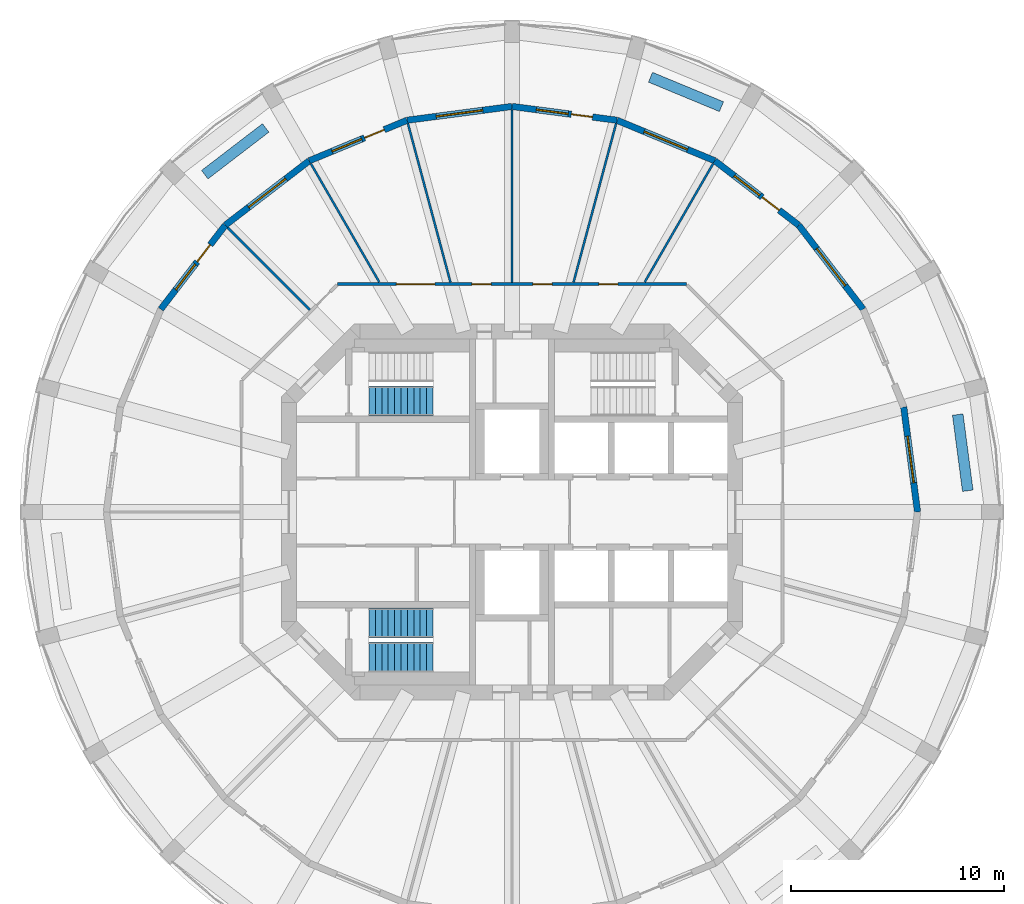
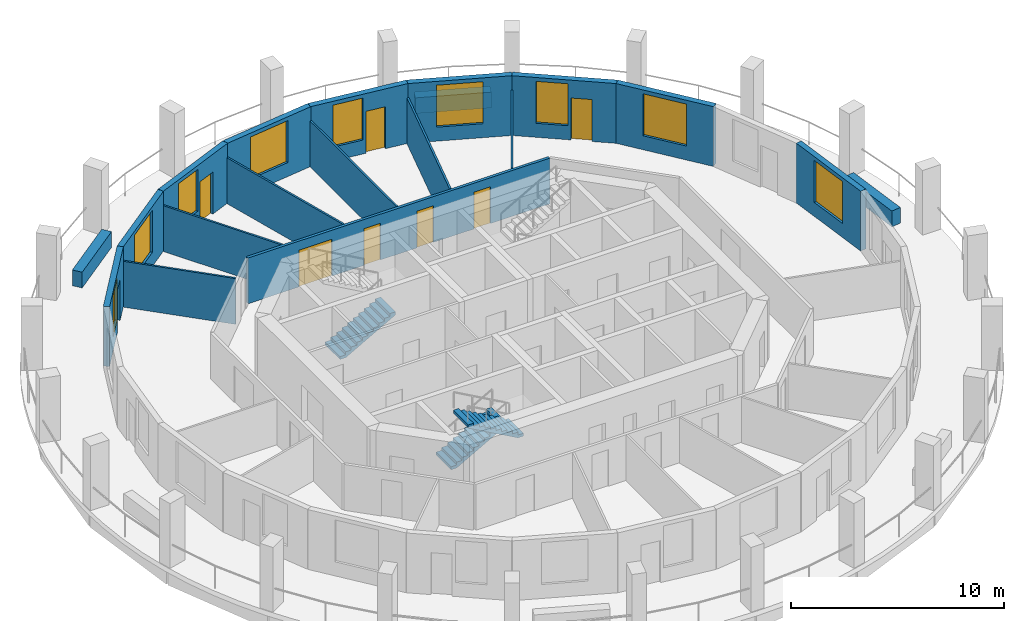
# One storey, part 6 of 9: 19 walls, 9 windows, 8 doors, 3 stair flights, 17 openings, 2 elements without a shape of their own.
"""IFC4 building model written with IfcOpenShell, lengths in metres."""

from ifc_helpers import new_model, si_unit, direction, frame, frame_2d, origin, place, context, subcontext, project, spatial, polyline, rectangle, outline, extrude, material, layer, layer_set, type_object, element, fill, aggregate, save


model = new_model("IFC4")

# Units and contexts
model_context = context("Model", 3, precision=1e-05, world=origin(), true_north=direction((0.0, 1.0)))
body_context = subcontext(model_context, "Body", "Model", "MODEL_VIEW")
ifc_project = project(units=[si_unit("LENGTHUNIT", "METRE"), si_unit("AREAUNIT", "SQUARE_METRE"), si_unit("VOLUMEUNIT", "CUBIC_METRE"), si_unit("PLANEANGLEUNIT", "RADIAN"), si_unit("MASSUNIT", "GRAM", prefix="KILO")], contexts=[model_context])

# Site, building, storey
site_placement = place(None, origin())
site = spatial("IfcSite", under=ifc_project, at=site_placement, CompositionType="ELEMENT")
building_placement = place(site_placement, origin())
building = spatial("IfcBuilding", under=site, at=building_placement, Name="Torre Triforio", CompositionType="ELEMENT")
storey_placement = place(building_placement, frame((0.0, 0.0, 180.10009765625)))
storey = spatial("IfcBuildingStorey", under=building, at=storey_placement, Name="L41", CompositionType="ELEMENT", Elevation=180.10009765625)

# Wall, openings, doors
ifc_material_1 = material(Name="Plasterboard on metal studs")
ifc_layer_1 = layer(ifc_material_1, 0.14990234375)
ifc_layer_set_1 = layer_set([ifc_layer_1], Name="Plasterboard on metal studs")
wall_type_1 = type_object("IfcWallType", Name="Corridor and tenancy wall 150 mm EI 60", PredefinedType="PARTITIONING", material=ifc_layer_set_1)
wall_1_placement = place(storey_placement, frame((-8.16650390625, 10.675048828125, 0.0), z_axis=(0.0, 0.0, 1.0), x_axis=(1.0, 0.0, 0.0)))
wall_1 = element("IfcWall", 1, at=wall_1_placement, inside=storey, type_object=wall_type_1, Name="Partition 6", PredefinedType="PARTITIONING", context=body_context, shape_type="SweptSolid", body=[
    extrude(rectangle(XDim=16.3330078125, YDim=0.14990234375, at=frame_2d((8.16650390625, 0.0))), origin(), (0.0, 0.0, 1.0), 2.619873046875),
])
opening_1_placement = place(wall_1_placement, frame((12.232421875, 0.0, 0.0)))
opening_1 = element("IfcOpeningElement", 2, at=opening_1_placement, cuts=wall_1, Name="Opening O3-11", PredefinedType="OPENING", context=body_context, shape_type="SweptSolid", body=[
    extrude(rectangle(XDim=0.89990234375, YDim=2.10009765625, at=frame_2d((0.449951171875, 1.050048828125))), frame((0.0, 0.0849609375, 0.0), z_axis=(0.0, -1.0, 0.0), x_axis=(1.0, 0.0, 0.0)), (0.0, 0.0, 1.0), 0.169921875),
])
opening_2_placement = place(wall_1_placement, frame((9.147705078125, 0.0, 0.0)))
opening_2 = element("IfcOpeningElement", 3, at=opening_2_placement, cuts=wall_1, Name="Opening O3-12", PredefinedType="OPENING", context=body_context, shape_type="SweptSolid", body=[
    extrude(rectangle(XDim=0.89990234375, YDim=2.10009765625, at=frame_2d((0.449951171875, 1.050048828125))), frame((0.0, 0.0849609375, 0.0), z_axis=(0.0, -1.0, 0.0), x_axis=(1.0, 0.0, 0.0)), (0.0, 0.0, 1.0), 0.169921875),
])
opening_3_placement = place(wall_1_placement, frame((6.285400390625, 0.0, 0.0)))
opening_3 = element("IfcOpeningElement", 4, at=opening_3_placement, cuts=wall_1, Name="Opening O3-13", PredefinedType="OPENING", context=body_context, shape_type="SweptSolid", body=[
    extrude(rectangle(XDim=0.89990234375, YDim=2.10009765625, at=frame_2d((0.449951171875, 1.050048828125))), frame((0.0, 0.0849609375, 0.0), z_axis=(0.0, -1.0, 0.0), x_axis=(1.0, 0.0, 0.0)), (0.0, 0.0, 1.0), 0.169921875),
])
opening_4_placement = place(wall_1_placement, frame((2.7509765625, 0.0, 0.0)))
opening_4 = element("IfcOpeningElement", 5, at=opening_4_placement, cuts=wall_1, Name="Opening O3-14", PredefinedType="OPENING", context=body_context, shape_type="SweptSolid", body=[
    extrude(rectangle(XDim=1.800048828125, YDim=2.10009765625, at=frame_2d((0.89990234375, 1.050048828125))), frame((0.0, 0.0849609375, 0.0), z_axis=(0.0, -1.0, 0.0), x_axis=(1.0, 0.0, 0.0)), (0.0, 0.0, 1.0), 0.169921875),
])
ifc_material_2 = material(Name="Timber", Category="wood")
door_type_1 = type_object("IfcDoorType", Name="Door 1800 x 2100 double leaf EI 30", OperationType="DOUBLE_DOOR_SINGLE_SWING", PredefinedType="DOOR", material=ifc_material_2)
door_1_placement = place(opening_4_placement, origin())
door_1 = element("IfcDoor", 6, at=door_1_placement, inside=storey, type_object=door_type_1, Name="Door O3-14", OperationType="DOUBLE_DOOR_SINGLE_SWING", OverallHeight=2.10009765625, OverallWidth=1.800048828125, PredefinedType="DOOR", context=body_context, shape_type="SweptSolid", body=[
    extrude(rectangle(XDim=1.800048828125, YDim=2.10009765625, at=frame_2d((0.89990234375, 1.050048828125))), frame((0.0, 0.02490234375, 0.0), z_axis=(0.0, -1.0, 0.0), x_axis=(1.0, 0.0, 0.0)), (0.0, 0.0, 1.0), 0.050048828125),
])
fill(opening_4, door_1)
door_type_2 = type_object("IfcDoorType", Name="Door 900 x 2100 single leaf EI 30", OperationType="NOTDEFINED", PredefinedType="DOOR", material=ifc_material_2)
door_2_placement = place(opening_1_placement, origin())
door_2 = element("IfcDoor", 7, at=door_2_placement, inside=storey, type_object=door_type_2, Name="Door O3-11", OperationType="SINGLE_SWING_LEFT", OverallHeight=2.10009765625, OverallWidth=0.89990234375, PredefinedType="DOOR", context=body_context, shape_type="SweptSolid", body=[
    extrude(rectangle(XDim=0.89990234375, YDim=2.10009765625, at=frame_2d((0.449951171875, 1.050048828125))), frame((0.0, 0.02490234375, 0.0), z_axis=(0.0, -1.0, 0.0), x_axis=(1.0, 0.0, 0.0)), (0.0, 0.0, 1.0), 0.050048828125),
])
fill(opening_1, door_2)
door_3_placement = place(opening_2_placement, origin())
door_3 = element("IfcDoor", 8, at=door_3_placement, inside=storey, type_object=door_type_2, Name="Door O3-12", OperationType="SINGLE_SWING_LEFT", OverallHeight=2.10009765625, OverallWidth=0.89990234375, PredefinedType="DOOR", context=body_context, shape_type="SweptSolid", body=[
    extrude(rectangle(XDim=0.89990234375, YDim=2.10009765625, at=frame_2d((0.449951171875, 1.050048828125))), frame((0.0, 0.02490234375, 0.0), z_axis=(0.0, -1.0, 0.0), x_axis=(1.0, 0.0, 0.0)), (0.0, 0.0, 1.0), 0.050048828125),
])
fill(opening_2, door_3)
door_4_placement = place(opening_3_placement, origin())
door_4 = element("IfcDoor", 9, at=door_4_placement, inside=storey, type_object=door_type_2, Name="Door O3-13", OperationType="SINGLE_SWING_RIGHT", OverallHeight=2.10009765625, OverallWidth=0.89990234375, PredefinedType="DOOR", context=body_context, shape_type="SweptSolid", body=[
    extrude(rectangle(XDim=0.89990234375, YDim=2.10009765625, at=frame_2d((0.449951171875, 1.050048828125))), frame((0.0, 0.02490234375, 0.0), z_axis=(0.0, -1.0, 0.0), x_axis=(1.0, 0.0, 0.0)), (0.0, 0.0, 1.0), 0.050048828125),
])
fill(opening_3, door_4)

# Walls
ifc_layer_2 = layer(ifc_material_1, 0.10009765625)
ifc_layer_set_2 = layer_set([ifc_layer_2], Name="Plasterboard on metal studs")
wall_type_2 = type_object("IfcWallType", Name="Partition 100 mm board on metal studs", PredefinedType="PARTITIONING", material=ifc_layer_set_2)
wall_2_placement = place(storey_placement, frame((6.220703125, 10.774658203125, 0.0), z_axis=(0.0, 0.0, 1.0), x_axis=(0.500023166934, 0.866012027936, 0.0)))
element("IfcWall", 10, at=wall_2_placement, inside=storey, type_object=wall_type_2, Name="Partition 9", PredefinedType="PARTITIONING", context=body_context, shape_type="SweptSolid", body=[
    extrude(rectangle(XDim=6.395263671875, YDim=0.10009765625, at=frame_2d((3.19775390625, 0.0))), origin(), (0.0, 0.0, 1.0), 2.619873046875),
])
wall_3_placement = place(storey_placement, frame((2.88427734375, 10.764404296875, 0.0), z_axis=(0.0, 0.0, 1.0), x_axis=(0.25881804804, 0.965926093451, 0.0)))
element("IfcWall", 11, at=wall_3_placement, inside=storey, type_object=wall_type_2, Name="Partition 10", PredefinedType="PARTITIONING", context=body_context, shape_type="SweptSolid", body=[
    extrude(rectangle(XDim=7.692626953125, YDim=0.10009765625, at=frame_2d((3.84619140625, 0.0))), origin(), (0.0, 0.0, 1.0), 2.619873046875),
])
wall_4_placement = place(storey_placement, frame((0.0, 10.75, 0.0), z_axis=(0.0, 0.0, 1.0), x_axis=(0.0, 1.0, 0.0)))
element("IfcWall", 12, at=wall_4_placement, inside=storey, type_object=wall_type_2, Name="Partition 11", PredefinedType="PARTITIONING", context=body_context, shape_type="SweptSolid", body=[
    extrude(rectangle(XDim=8.086669921875, YDim=0.10009765625, at=frame_2d((4.04345703125, 0.0))), origin(), (0.0, 0.0, 1.0), 2.619873046875),
])
wall_5_placement = place(storey_placement, frame((-2.88427734375, 10.764404296875, 0.0), z_axis=(0.0, 0.0, 1.0), x_axis=(-0.25881804804, 0.965926093451, 0.0)))
element("IfcWall", 13, at=wall_5_placement, inside=storey, type_object=wall_type_2, Name="Partition 12", PredefinedType="PARTITIONING", context=body_context, shape_type="SweptSolid", body=[
    extrude(rectangle(XDim=7.692626953125, YDim=0.10009765625, at=frame_2d((3.84619140625, 0.0))), origin(), (0.0, 0.0, 1.0), 2.619873046875),
])
wall_6_placement = place(storey_placement, frame((-6.220703125, 10.774658203125, 0.0), z_axis=(0.0, 0.0, 1.0), x_axis=(-0.500023166934, 0.866012027936, 0.0)))
element("IfcWall", 14, at=wall_6_placement, inside=storey, type_object=wall_type_2, Name="Partition 13", PredefinedType="PARTITIONING", context=body_context, shape_type="SweptSolid", body=[
    extrude(rectangle(XDim=6.395263671875, YDim=0.10009765625, at=frame_2d((3.19775390625, 0.0))), origin(), (0.0, 0.0, 1.0), 2.619873046875),
])
wall_7_placement = place(storey_placement, frame((-9.473876953125, 9.473876953125, 0.0), z_axis=(0.0, 0.0, 1.0), x_axis=(-0.707106781187, 0.707106781187, 0.0)))
element("IfcWall", 15, at=wall_7_placement, inside=storey, type_object=wall_type_2, Name="Partition 14", PredefinedType="PARTITIONING", context=body_context, shape_type="SweptSolid", body=[
    extrude(rectangle(XDim=5.438720703125, YDim=0.10009765625, at=frame_2d((2.71923828125, 0.0))), origin(), (0.0, 0.0, 1.0), 2.619873046875),
])
ifc_material_3 = material(Name="Limestone cladding", Category="masonry")
ifc_layer_3 = layer(ifc_material_3, 0.10009765625)
ifc_material_4 = material(Name="Concrete C40", Category="concrete")
ifc_layer_4 = layer(ifc_material_4, 0.39990234375)
ifc_layer_set_3 = layer_set([ifc_layer_3, ifc_layer_4], Name="Limestone cladding / Concrete C40")
wall_type_3 = type_object("IfcWallType", Name="Planter wall 500", PredefinedType="PARAPET", material=ifc_layer_set_3)
for number, where, z_axis, x_axis, name in (
    (16, (21.352783203125, 0.99560546875, 0.0), (0.0, 0.0, 1.0), (-0.130551000099, 0.991441595039, 0.0), "Planter L41 bay 01"),
    (17, (9.814208984375, 18.98974609375, 0.0), (0.0, 0.0, 1.0), (-0.923875488976, 0.382693194178, 0.0), "Planter L41 bay 05"),
):
    element("IfcWall", number, at=place(storey_placement, frame(where, z_axis=z_axis, x_axis=x_axis)), inside=storey, type_object=wall_type_3, Name=name, PredefinedType="PARAPET", context=body_context, shape_type="SweptSolid", body=[
        extrude(rectangle(XDim=3.599853515625, YDim=0.5, at=frame_2d((1.7998046875, 0.0))), origin(), (0.0, 0.0, 1.0), 0.89990234375),
    ])
wall_8_placement = place(storey_placement, frame((-11.53857421875, 17.994140625, 0.0), z_axis=(0.0, 0.0, 1.0), x_axis=(-0.793384730612, -0.608720518162, 0.0)))
element("IfcWall", 18, at=wall_8_placement, inside=storey, type_object=wall_type_3, Name="Planter L41 bay 09", PredefinedType="PARAPET", context=body_context, shape_type="SweptSolid", body=[
    extrude(rectangle(XDim=3.60009765625, YDim=0.5, at=frame_2d((1.800048828125, 0.0))), origin(), (0.0, 0.0, 1.0), 0.89990234375),
])

# Wall, opening, window
ifc_layer_5 = layer(ifc_material_3, 0.10009765625)
ifc_layer_6 = layer(ifc_material_4, 0.199951171875)
ifc_layer_set_4 = layer_set([ifc_layer_5, ifc_layer_6], Name="Limestone cladding / Concrete C40")
wall_type_4 = type_object("IfcWallType", Name="Stone-faced composite wall 300", PredefinedType="STANDARD", material=ifc_layer_set_4)
wall_9_placement = place(storey_placement, frame((19.0, 0.0, 0.0), z_axis=(0.0, 0.0, 1.0), x_axis=(-0.130538549191, 0.991443234469, 0.0)))
wall_9 = element("IfcWall", 19, at=wall_9_placement, inside=storey, type_object=wall_type_4, Name="External wall L41 bay 01", PredefinedType="STANDARD", context=body_context, shape_type="SweptSolid", body=[
    extrude(rectangle(XDim=4.9599609375, YDim=0.300048828125, at=frame_2d((2.47998046875, 0.0))), origin(), (0.0, 0.0, 1.0), 3.419921875),
])
opening_5_placement = place(wall_9_placement, frame((1.3798828125, 0.0, 0.800048828125)))
opening_5 = element("IfcOpeningElement", 20, at=opening_5_placement, cuts=wall_9, Name="Opening O3-W01", PredefinedType="OPENING", context=body_context, shape_type="SweptSolid", body=[
    extrude(rectangle(XDim=2.199951171875, YDim=2.39990234375, at=frame_2d((1.10009765625, 1.199951171875))), frame((0.0, 0.159912109375, 0.0), z_axis=(0.0, -1.0, 0.0), x_axis=(1.0, 0.0, 0.0)), (0.0, 0.0, 1.0), 0.320068359375),
])
ifc_material_5 = material(Name="Aluminium frame with clear double glazing", Category="aluminium")
window_type_1 = type_object("IfcWindowType", Name="Punched window 2200 x 2400", PartitioningType="DOUBLE_PANEL_VERTICAL", PredefinedType="WINDOW", material=ifc_material_5)
window_1_placement = place(opening_5_placement, origin())
window_1 = element("IfcWindow", 21, at=window_1_placement, inside=storey, type_object=window_type_1, Name="Window EWN5 L41 bay 01", OverallHeight=2.39990234375, OverallWidth=2.199951171875, PartitioningType="SINGLE_PANEL", PredefinedType="WINDOW", context=body_context, shape_type="SweptSolid", body=[
    extrude(rectangle(XDim=2.199951171875, YDim=2.39990234375, at=frame_2d((1.10009765625, 1.199951171875))), frame((0.0, 0.030029296875, 0.0), z_axis=(0.0, -1.0, 0.0), x_axis=(1.0, 0.0, 0.0)), (0.0, 0.0, 1.0), 0.06005859375),
])
fill(opening_5, window_1)

wall_10_placement = place(storey_placement, frame((16.45458984375, 9.5, 0.0), z_axis=(0.0, 0.0, 1.0), x_axis=(-0.608768356425, 0.793348024649, 0.0)))
wall_10 = element("IfcWall", 22, at=wall_10_placement, inside=storey, type_object=wall_type_4, Name="External wall L41 bay 03", PredefinedType="STANDARD", context=body_context, shape_type="SweptSolid", body=[
    extrude(rectangle(XDim=4.9599609375, YDim=0.300048828125, at=frame_2d((2.47998046875, 0.0))), origin(), (0.0, 0.0, 1.0), 3.419921875),
])
opening_6_placement = place(wall_10_placement, frame((1.3798828125, 0.0, 0.800048828125)))
opening_6 = element("IfcOpeningElement", 23, at=opening_6_placement, cuts=wall_10, Name="Opening O3-W03", PredefinedType="OPENING", context=body_context, shape_type="SweptSolid", body=[
    extrude(rectangle(XDim=2.199951171875, YDim=2.39990234375, at=frame_2d((1.10009765625, 1.199951171875))), frame((0.0, 0.159912109375, 0.0), z_axis=(0.0, -1.0, 0.0), x_axis=(1.0, 0.0, 0.0)), (0.0, 0.0, 1.0), 0.320068359375),
])
window_2_placement = place(opening_6_placement, origin())
window_2 = element("IfcWindow", 24, at=window_2_placement, inside=storey, type_object=window_type_1, Name="Window EWN5 L41 bay 03", OverallHeight=2.39990234375, OverallWidth=2.199951171875, PartitioningType="SINGLE_PANEL", PredefinedType="WINDOW", context=body_context, shape_type="SweptSolid", body=[
    extrude(rectangle(XDim=2.199951171875, YDim=2.39990234375, at=frame_2d((1.10009765625, 1.199951171875))), frame((0.0, 0.030029296875, 0.0), z_axis=(0.0, -1.0, 0.0), x_axis=(1.0, 0.0, 0.0)), (0.0, 0.0, 1.0), 0.06005859375),
])
fill(opening_6, window_2)

# Wall, openings, door, window
wall_11_placement = place(storey_placement, frame((13.43505859375, 13.43505859375, 0.0), z_axis=(0.0, 0.0, 1.0), x_axis=(-0.793348024649, 0.608768356425, 0.0)))
wall_11 = element("IfcWall", 25, at=wall_11_placement, inside=storey, type_object=wall_type_4, Name="External wall L41 bay 04", PredefinedType="STANDARD", context=body_context, shape_type="SweptSolid", body=[
    extrude(rectangle(XDim=4.9599609375, YDim=0.300048828125, at=frame_2d((2.47998046875, 0.0))), origin(), (0.0, 0.0, 1.0), 3.419921875),
])
opening_7_placement = place(wall_11_placement, frame((1.155029296875, 0.0, 0.0)))
opening_7 = element("IfcOpeningElement", 26, at=opening_7_placement, cuts=wall_11, Name="Opening O3-D04", PredefinedType="OPENING", context=body_context, shape_type="SweptSolid", body=[
    extrude(rectangle(XDim=1.0, YDim=2.39990234375, at=frame_2d((0.5, 1.199951171875))), frame((0.0, 0.159912109375, 0.0), z_axis=(0.0, -1.0, 0.0), x_axis=(1.0, 0.0, 0.0)), (0.0, 0.0, 1.0), 0.320068359375),
])
opening_8_placement = place(wall_11_placement, frame((2.304931640625, 0.0, 0.800048828125)))
opening_8 = element("IfcOpeningElement", 27, at=opening_8_placement, cuts=wall_11, Name="Opening O3-W04A", PredefinedType="OPENING", context=body_context, shape_type="SweptSolid", body=[
    extrude(rectangle(XDim=1.5, YDim=2.39990234375, at=frame_2d((0.75, 1.199951171875))), frame((0.0, 0.159912109375, 0.0), z_axis=(0.0, -1.0, 0.0), x_axis=(1.0, 0.0, 0.0)), (0.0, 0.0, 1.0), 0.320068359375),
])
door_type_3 = type_object("IfcDoorType", Name="Loggia door 1000 x 2400", OperationType="NOTDEFINED", PredefinedType="DOOR", material=ifc_material_5)
door_5_placement = place(opening_7_placement, origin())
door_5 = element("IfcDoor", 28, at=door_5_placement, inside=storey, type_object=door_type_3, Name="Loggia door L41 bay 04", OperationType="SINGLE_SWING_LEFT", OverallHeight=2.39990234375, OverallWidth=1.0, PredefinedType="DOOR", context=body_context, shape_type="SweptSolid", body=[
    extrude(rectangle(XDim=1.0, YDim=2.39990234375, at=frame_2d((0.5, 1.199951171875))), frame((0.0, 0.02490234375, 0.0), z_axis=(0.0, -1.0, 0.0), x_axis=(1.0, 0.0, 0.0)), (0.0, 0.0, 1.0), 0.050048828125),
])
fill(opening_7, door_5)
window_type_2 = type_object("IfcWindowType", Name="Side window 1500 x 2400", PartitioningType="SINGLE_PANEL", PredefinedType="WINDOW", material=ifc_material_5)
window_3_placement = place(opening_8_placement, origin())
window_3 = element("IfcWindow", 29, at=window_3_placement, inside=storey, type_object=window_type_2, Name="Side window EWN14 L41 bay 04", OverallHeight=2.39990234375, OverallWidth=1.5, PartitioningType="SINGLE_PANEL", PredefinedType="WINDOW", context=body_context, shape_type="SweptSolid", body=[
    extrude(rectangle(XDim=1.5, YDim=2.39990234375, at=frame_2d((0.75, 1.199951171875))), frame((0.0, 0.030029296875, 0.0), z_axis=(0.0, -1.0, 0.0), x_axis=(1.0, 0.0, 0.0)), (0.0, 0.0, 1.0), 0.06005859375),
])
fill(opening_8, window_3)

# Wall, opening, window
wall_12_placement = place(storey_placement, frame((9.5, 16.45458984375, 0.0), z_axis=(0.0, 0.0, 1.0), x_axis=(-0.923893254961, 0.382650301762, 0.0)))
wall_12 = element("IfcWall", 30, at=wall_12_placement, inside=storey, type_object=wall_type_4, Name="External wall L41 bay 05", PredefinedType="STANDARD", context=body_context, shape_type="SweptSolid", body=[
    extrude(rectangle(XDim=4.9599609375, YDim=0.300048828125, at=frame_2d((2.47998046875, 0.0))), origin(), (0.0, 0.0, 1.0), 3.419921875),
])
opening_9_placement = place(wall_12_placement, frame((1.3798828125, 0.0, 0.800048828125)))
opening_9 = element("IfcOpeningElement", 31, at=opening_9_placement, cuts=wall_12, Name="Opening O3-W05", PredefinedType="OPENING", context=body_context, shape_type="SweptSolid", body=[
    extrude(rectangle(XDim=2.199951171875, YDim=2.39990234375, at=frame_2d((1.10009765625, 1.199951171875))), frame((0.0, 0.159912109375, 0.0), z_axis=(0.0, -1.0, 0.0), x_axis=(1.0, 0.0, 0.0)), (0.0, 0.0, 1.0), 0.320068359375),
])
window_4_placement = place(opening_9_placement, origin())
window_4 = element("IfcWindow", 32, at=window_4_placement, inside=storey, type_object=window_type_1, Name="Window EWN5 L41 bay 05", OverallHeight=2.39990234375, OverallWidth=2.199951171875, PartitioningType="SINGLE_PANEL", PredefinedType="WINDOW", context=body_context, shape_type="SweptSolid", body=[
    extrude(rectangle(XDim=2.199951171875, YDim=2.39990234375, at=frame_2d((1.10009765625, 1.199951171875))), frame((0.0, 0.030029296875, 0.0), z_axis=(0.0, -1.0, 0.0), x_axis=(1.0, 0.0, 0.0)), (0.0, 0.0, 1.0), 0.06005859375),
])
fill(opening_9, window_4)

# Wall, openings, door, window
wall_13_placement = place(storey_placement, frame((4.91748046875, 18.3525390625, 0.0), z_axis=(0.0, 0.0, 1.0), x_axis=(-0.991443234469, 0.130538549191, 0.0)))
wall_13 = element("IfcWall", 33, at=wall_13_placement, inside=storey, type_object=wall_type_4, Name="External wall L41 bay 06", PredefinedType="STANDARD", context=body_context, shape_type="SweptSolid", body=[
    extrude(rectangle(XDim=4.9599609375, YDim=0.300048828125, at=frame_2d((2.47998046875, 0.0))), origin(), (0.0, 0.0, 1.0), 3.419921875),
])
opening_10_placement = place(wall_13_placement, frame((1.155029296875, 0.0, 0.0)))
opening_10 = element("IfcOpeningElement", 34, at=opening_10_placement, cuts=wall_13, Name="Opening O3-D06", PredefinedType="OPENING", context=body_context, shape_type="SweptSolid", body=[
    extrude(rectangle(XDim=1.0, YDim=2.39990234375, at=frame_2d((0.5, 1.199951171875))), frame((0.0, 0.159912109375, 0.0), z_axis=(0.0, -1.0, 0.0), x_axis=(1.0, 0.0, 0.0)), (0.0, 0.0, 1.0), 0.320068359375),
])
opening_11_placement = place(wall_13_placement, frame((2.304931640625, 0.0, 0.800048828125)))
opening_11 = element("IfcOpeningElement", 35, at=opening_11_placement, cuts=wall_13, Name="Opening O3-W06A", PredefinedType="OPENING", context=body_context, shape_type="SweptSolid", body=[
    extrude(rectangle(XDim=1.5, YDim=2.39990234375, at=frame_2d((0.75, 1.199951171875))), frame((0.0, 0.159912109375, 0.0), z_axis=(0.0, -1.0, 0.0), x_axis=(1.0, 0.0, 0.0)), (0.0, 0.0, 1.0), 0.320068359375),
])
door_6_placement = place(opening_10_placement, origin())
door_6 = element("IfcDoor", 36, at=door_6_placement, inside=storey, type_object=door_type_3, Name="Loggia door L41 bay 06", OperationType="SINGLE_SWING_LEFT", OverallHeight=2.39990234375, OverallWidth=1.0, PredefinedType="DOOR", context=body_context, shape_type="SweptSolid", body=[
    extrude(rectangle(XDim=1.0, YDim=2.39990234375, at=frame_2d((0.5, 1.199951171875))), frame((0.0, 0.02490234375, 0.0), z_axis=(0.0, -1.0, 0.0), x_axis=(1.0, 0.0, 0.0)), (0.0, 0.0, 1.0), 0.050048828125),
])
fill(opening_10, door_6)
window_5_placement = place(opening_11_placement, origin())
window_5 = element("IfcWindow", 37, at=window_5_placement, inside=storey, type_object=window_type_2, Name="Side window EWN14 L41 bay 06", OverallHeight=2.39990234375, OverallWidth=1.5, PartitioningType="SINGLE_PANEL", PredefinedType="WINDOW", context=body_context, shape_type="SweptSolid", body=[
    extrude(rectangle(XDim=1.5, YDim=2.39990234375, at=frame_2d((0.75, 1.199951171875))), frame((0.0, 0.030029296875, 0.0), z_axis=(0.0, -1.0, 0.0), x_axis=(1.0, 0.0, 0.0)), (0.0, 0.0, 1.0), 0.06005859375),
])
fill(opening_11, window_5)

# Wall, opening, window
wall_14_placement = place(storey_placement, frame((0.0, 19.0, 0.0), z_axis=(0.0, 0.0, 1.0), x_axis=(-0.991443234469, -0.130538549191, 0.0)))
wall_14 = element("IfcWall", 38, at=wall_14_placement, inside=storey, type_object=wall_type_4, Name="External wall L41 bay 07", PredefinedType="STANDARD", context=body_context, shape_type="SweptSolid", body=[
    extrude(rectangle(XDim=4.9599609375, YDim=0.300048828125, at=frame_2d((2.47998046875, 0.0))), origin(), (0.0, 0.0, 1.0), 3.419921875),
])
opening_12_placement = place(wall_14_placement, frame((1.3798828125, 0.0, 0.800048828125)))
opening_12 = element("IfcOpeningElement", 39, at=opening_12_placement, cuts=wall_14, Name="Opening O3-W07", PredefinedType="OPENING", context=body_context, shape_type="SweptSolid", body=[
    extrude(rectangle(XDim=2.199951171875, YDim=2.39990234375, at=frame_2d((1.10009765625, 1.199951171875))), frame((0.0, 0.159912109375, 0.0), z_axis=(0.0, -1.0, 0.0), x_axis=(1.0, 0.0, 0.0)), (0.0, 0.0, 1.0), 0.320068359375),
])
window_6_placement = place(opening_12_placement, origin())
window_6 = element("IfcWindow", 40, at=window_6_placement, inside=storey, type_object=window_type_1, Name="Window EWN5 L41 bay 07", OverallHeight=2.39990234375, OverallWidth=2.199951171875, PartitioningType="SINGLE_PANEL", PredefinedType="WINDOW", context=body_context, shape_type="SweptSolid", body=[
    extrude(rectangle(XDim=2.199951171875, YDim=2.39990234375, at=frame_2d((1.10009765625, 1.199951171875))), frame((0.0, 0.030029296875, 0.0), z_axis=(0.0, -1.0, 0.0), x_axis=(1.0, 0.0, 0.0)), (0.0, 0.0, 1.0), 0.06005859375),
])
fill(opening_12, window_6)

# Wall, openings, door, window
wall_15_placement = place(storey_placement, frame((-4.91748046875, 18.3525390625, 0.0), z_axis=(0.0, 0.0, 1.0), x_axis=(-0.923893254961, -0.382650301762, 0.0)))
wall_15 = element("IfcWall", 41, at=wall_15_placement, inside=storey, type_object=wall_type_4, Name="External wall L41 bay 08", PredefinedType="STANDARD", context=body_context, shape_type="SweptSolid", body=[
    extrude(rectangle(XDim=4.9599609375, YDim=0.300048828125, at=frame_2d((2.47998046875, 0.0))), origin(), (0.0, 0.0, 1.0), 3.419921875),
])
opening_13_placement = place(wall_15_placement, frame((1.155029296875, 0.0, 0.0)))
opening_13 = element("IfcOpeningElement", 42, at=opening_13_placement, cuts=wall_15, Name="Opening O3-D08", PredefinedType="OPENING", context=body_context, shape_type="SweptSolid", body=[
    extrude(rectangle(XDim=1.0, YDim=2.39990234375, at=frame_2d((0.5, 1.199951171875))), frame((0.0, 0.159912109375, 0.0), z_axis=(0.0, -1.0, 0.0), x_axis=(1.0, 0.0, 0.0)), (0.0, 0.0, 1.0), 0.320068359375),
])
opening_14_placement = place(wall_15_placement, frame((2.304931640625, 0.0, 0.800048828125)))
opening_14 = element("IfcOpeningElement", 43, at=opening_14_placement, cuts=wall_15, Name="Opening O3-W08A", PredefinedType="OPENING", context=body_context, shape_type="SweptSolid", body=[
    extrude(rectangle(XDim=1.5, YDim=2.39990234375, at=frame_2d((0.75, 1.199951171875))), frame((0.0, 0.159912109375, 0.0), z_axis=(0.0, -1.0, 0.0), x_axis=(1.0, 0.0, 0.0)), (0.0, 0.0, 1.0), 0.320068359375),
])
door_7_placement = place(opening_13_placement, origin())
door_7 = element("IfcDoor", 44, at=door_7_placement, inside=storey, type_object=door_type_3, Name="Loggia door L41 bay 08", OperationType="SINGLE_SWING_LEFT", OverallHeight=2.39990234375, OverallWidth=1.0, PredefinedType="DOOR", context=body_context, shape_type="SweptSolid", body=[
    extrude(rectangle(XDim=1.0, YDim=2.39990234375, at=frame_2d((0.5, 1.199951171875))), frame((0.0, 0.02490234375, 0.0), z_axis=(0.0, -1.0, 0.0), x_axis=(1.0, 0.0, 0.0)), (0.0, 0.0, 1.0), 0.050048828125),
])
fill(opening_13, door_7)
window_7_placement = place(opening_14_placement, origin())
window_7 = element("IfcWindow", 45, at=window_7_placement, inside=storey, type_object=window_type_2, Name="Side window EWN14 L41 bay 08", OverallHeight=2.39990234375, OverallWidth=1.5, PartitioningType="SINGLE_PANEL", PredefinedType="WINDOW", context=body_context, shape_type="SweptSolid", body=[
    extrude(rectangle(XDim=1.5, YDim=2.39990234375, at=frame_2d((0.75, 1.199951171875))), frame((0.0, 0.030029296875, 0.0), z_axis=(0.0, -1.0, 0.0), x_axis=(1.0, 0.0, 0.0)), (0.0, 0.0, 1.0), 0.06005859375),
])
fill(opening_14, window_7)

# Wall, opening, window
wall_16_placement = place(storey_placement, frame((-9.5, 16.45458984375, 0.0), z_axis=(0.0, 0.0, 1.0), x_axis=(-0.793348024649, -0.608768356425, 0.0)))
wall_16 = element("IfcWall", 46, at=wall_16_placement, inside=storey, type_object=wall_type_4, Name="External wall L41 bay 09", PredefinedType="STANDARD", context=body_context, shape_type="SweptSolid", body=[
    extrude(rectangle(XDim=4.9599609375, YDim=0.300048828125, at=frame_2d((2.47998046875, 0.0))), origin(), (0.0, 0.0, 1.0), 3.419921875),
])
opening_15_placement = place(wall_16_placement, frame((1.3798828125, 0.0, 0.800048828125)))
opening_15 = element("IfcOpeningElement", 47, at=opening_15_placement, cuts=wall_16, Name="Opening O3-W09", PredefinedType="OPENING", context=body_context, shape_type="SweptSolid", body=[
    extrude(rectangle(XDim=2.199951171875, YDim=2.39990234375, at=frame_2d((1.10009765625, 1.199951171875))), frame((0.0, 0.159912109375, 0.0), z_axis=(0.0, -1.0, 0.0), x_axis=(1.0, 0.0, 0.0)), (0.0, 0.0, 1.0), 0.320068359375),
])
window_8_placement = place(opening_15_placement, origin())
window_8 = element("IfcWindow", 48, at=window_8_placement, inside=storey, type_object=window_type_1, Name="Window EWN5 L41 bay 09", OverallHeight=2.39990234375, OverallWidth=2.199951171875, PartitioningType="SINGLE_PANEL", PredefinedType="WINDOW", context=body_context, shape_type="SweptSolid", body=[
    extrude(rectangle(XDim=2.199951171875, YDim=2.39990234375, at=frame_2d((1.10009765625, 1.199951171875))), frame((0.0, 0.030029296875, 0.0), z_axis=(0.0, -1.0, 0.0), x_axis=(1.0, 0.0, 0.0)), (0.0, 0.0, 1.0), 0.06005859375),
])
fill(opening_15, window_8)

# Wall, openings, door, window
wall_17_placement = place(storey_placement, frame((-13.43505859375, 13.43505859375, 0.0), z_axis=(0.0, 0.0, 1.0), x_axis=(-0.608768356425, -0.793348024649, 0.0)))
wall_17 = element("IfcWall", 49, at=wall_17_placement, inside=storey, type_object=wall_type_4, Name="External wall L41 bay 10", PredefinedType="STANDARD", context=body_context, shape_type="SweptSolid", body=[
    extrude(rectangle(XDim=4.9599609375, YDim=0.300048828125, at=frame_2d((2.47998046875, 0.0))), origin(), (0.0, 0.0, 1.0), 3.419921875),
])
opening_16_placement = place(wall_17_placement, frame((1.155029296875, 0.0, 0.0)))
opening_16 = element("IfcOpeningElement", 50, at=opening_16_placement, cuts=wall_17, Name="Opening O3-D10", PredefinedType="OPENING", context=body_context, shape_type="SweptSolid", body=[
    extrude(rectangle(XDim=1.0, YDim=2.39990234375, at=frame_2d((0.5, 1.199951171875))), frame((0.0, 0.159912109375, 0.0), z_axis=(0.0, -1.0, 0.0), x_axis=(1.0, 0.0, 0.0)), (0.0, 0.0, 1.0), 0.320068359375),
])
opening_17_placement = place(wall_17_placement, frame((2.304931640625, 0.0, 0.800048828125)))
opening_17 = element("IfcOpeningElement", 51, at=opening_17_placement, cuts=wall_17, Name="Opening O3-W10A", PredefinedType="OPENING", context=body_context, shape_type="SweptSolid", body=[
    extrude(rectangle(XDim=1.5, YDim=2.39990234375, at=frame_2d((0.75, 1.199951171875))), frame((0.0, 0.159912109375, 0.0), z_axis=(0.0, -1.0, 0.0), x_axis=(1.0, 0.0, 0.0)), (0.0, 0.0, 1.0), 0.320068359375),
])
door_8_placement = place(opening_16_placement, origin())
door_8 = element("IfcDoor", 52, at=door_8_placement, inside=storey, type_object=door_type_3, Name="Loggia door L41 bay 10", OperationType="SINGLE_SWING_LEFT", OverallHeight=2.39990234375, OverallWidth=1.0, PredefinedType="DOOR", context=body_context, shape_type="SweptSolid", body=[
    extrude(rectangle(XDim=1.0, YDim=2.39990234375, at=frame_2d((0.5, 1.199951171875))), frame((0.0, 0.02490234375, 0.0), z_axis=(0.0, -1.0, 0.0), x_axis=(1.0, 0.0, 0.0)), (0.0, 0.0, 1.0), 0.050048828125),
])
fill(opening_16, door_8)
window_9_placement = place(opening_17_placement, origin())
window_9 = element("IfcWindow", 53, at=window_9_placement, inside=storey, type_object=window_type_2, Name="Side window EWN14 L41 bay 10", OverallHeight=2.39990234375, OverallWidth=1.5, PartitioningType="SINGLE_PANEL", PredefinedType="WINDOW", context=body_context, shape_type="SweptSolid", body=[
    extrude(rectangle(XDim=1.5, YDim=2.39990234375, at=frame_2d((0.75, 1.199951171875))), frame((0.0, 0.030029296875, 0.0), z_axis=(0.0, -1.0, 0.0), x_axis=(1.0, 0.0, 0.0)), (0.0, 0.0, 1.0), 0.06005859375),
])
fill(opening_17, window_9)

# Stair, stair flight
stair_type = type_object("IfcStairType", Name="STAIR HALF-TURN", PredefinedType="HALF_TURN_STAIR", material=ifc_material_4)
stair_1_placement = place(storey_placement, origin())
stair_1 = element("IfcStair", 54, at=stair_1_placement, inside=storey, type_object=stair_type, Name="Exit stair 1", PredefinedType="HALF_TURN_STAIR")
stair_flight_type = type_object("IfcStairFlightType", Name="STAIR FLIGHT 1400", PredefinedType="STRAIGHT", material=ifc_material_4)
stair_flight_1_placement = place(storey_placement, frame((-6.699951171875, 5.199951171875, 0.0), z_axis=(0.0, 0.0, 1.0), x_axis=(1.0, 0.0, 0.0)))
stair_flight_1 = element("IfcStairFlight", 55, at=stair_flight_1_placement, type_object=stair_flight_type, Name="ST1 flight 1", NumberOfRisers=11, NumberOfTreads=10, PredefinedType="STRAIGHT", RiserHeight=0.168181818, TreadLength=0.3, context=body_context, shape_type="SweptSolid", body=[
    extrude(outline(polyline([(0.0, 0.0), (0.0, 0.168212890625), (0.300048828125, 0.168212890625), (0.300048828125, 0.33642578125), (0.60009765625, 0.33642578125), (0.60009765625, 0.504638671875), (0.89990234375, 0.504638671875), (0.89990234375, 0.672607421875), (1.199951171875, 0.672607421875), (1.199951171875, 0.8408203125), (1.5, 0.8408203125), (1.5, 1.009033203125), (1.800048828125, 1.009033203125), (1.800048828125, 1.17724609375), (2.10009765625, 1.17724609375), (2.10009765625, 1.345458984375), (2.39990234375, 1.345458984375), (2.39990234375, 1.513671875), (2.699951171875, 1.513671875), (2.699951171875, 1.681884765625), (3.0, 1.681884765625), (3.0, 1.85009765625), (3.0, 1.510009765625), (0.306640625, 0.0), (0.0, 0.0)])), frame((0.0, 0.699951171875, 0.0), z_axis=(0.0, -1.0, 0.0), x_axis=(1.0, 0.0, 0.0)), (0.0, 0.0, 1.0), 1.39990234375),
])
aggregate(stair_1, [stair_flight_1])

# Stair, stair flights
stair_2_placement = place(storey_placement, origin())
stair_2 = element("IfcStair", 56, at=stair_2_placement, inside=storey, type_object=stair_type, Name="Exit stair 3", PredefinedType="HALF_TURN_STAIR")
stair_flight_2_placement = place(storey_placement, frame((-6.699951171875, -5.199951171875, 0.0), z_axis=(0.0, 0.0, 1.0), x_axis=(1.0, 0.0, 0.0)))
stair_flight_2 = element("IfcStairFlight", 57, at=stair_flight_2_placement, type_object=stair_flight_type, Name="ST3 flight 1", NumberOfRisers=11, NumberOfTreads=10, PredefinedType="STRAIGHT", RiserHeight=0.168181818, TreadLength=0.3, context=body_context, shape_type="SweptSolid", body=[
    extrude(outline(polyline([(0.0, 0.0), (0.0, 0.168212890625), (0.300048828125, 0.168212890625), (0.300048828125, 0.33642578125), (0.60009765625, 0.33642578125), (0.60009765625, 0.504638671875), (0.89990234375, 0.504638671875), (0.89990234375, 0.672607421875), (1.199951171875, 0.672607421875), (1.199951171875, 0.8408203125), (1.5, 0.8408203125), (1.5, 1.009033203125), (1.800048828125, 1.009033203125), (1.800048828125, 1.17724609375), (2.10009765625, 1.17724609375), (2.10009765625, 1.345458984375), (2.39990234375, 1.345458984375), (2.39990234375, 1.513671875), (2.699951171875, 1.513671875), (2.699951171875, 1.681884765625), (3.0, 1.681884765625), (3.0, 1.85009765625), (3.0, 1.510009765625), (0.306640625, 0.0), (0.0, 0.0)])), frame((0.0, 0.699951171875, 0.0), z_axis=(0.0, -1.0, 0.0), x_axis=(1.0, 0.0, 0.0)), (0.0, 0.0, 1.0), 1.39990234375),
])
stair_flight_3_placement = place(storey_placement, frame((-3.699951171875, -6.800048828125, 1.849853515625), z_axis=(0.0, 0.0, 1.0), x_axis=(-1.0, 0.0, 0.0)))
stair_flight_3 = element("IfcStairFlight", 58, at=stair_flight_3_placement, type_object=stair_flight_type, Name="ST3 flight 2", NumberOfRisers=11, NumberOfTreads=10, PredefinedType="STRAIGHT", RiserHeight=0.168181818, TreadLength=0.3, context=body_context, shape_type="SweptSolid", body=[
    extrude(outline(polyline([(0.0, 0.0), (0.0, 0.168212890625), (0.300048828125, 0.168212890625), (0.300048828125, 0.33642578125), (0.60009765625, 0.33642578125), (0.60009765625, 0.504638671875), (0.89990234375, 0.504638671875), (0.89990234375, 0.672607421875), (1.199951171875, 0.672607421875), (1.199951171875, 0.8408203125), (1.5, 0.8408203125), (1.5, 1.009033203125), (1.800048828125, 1.009033203125), (1.800048828125, 1.17724609375), (2.10009765625, 1.17724609375), (2.10009765625, 1.345458984375), (2.39990234375, 1.345458984375), (2.39990234375, 1.513671875), (2.699951171875, 1.513671875), (2.699951171875, 1.681884765625), (3.0, 1.681884765625), (3.0, 1.85009765625), (3.0, 1.510009765625), (0.306640625, 0.0), (0.0, 0.0)])), frame((0.0, 0.699951171875, 0.0), z_axis=(0.0, -1.0, 0.0), x_axis=(1.0, 0.0, 0.0)), (0.0, 0.0, 1.0), 1.39990234375),
])
aggregate(stair_2, [stair_flight_2, stair_flight_3])

save(model, "model.ifc")
